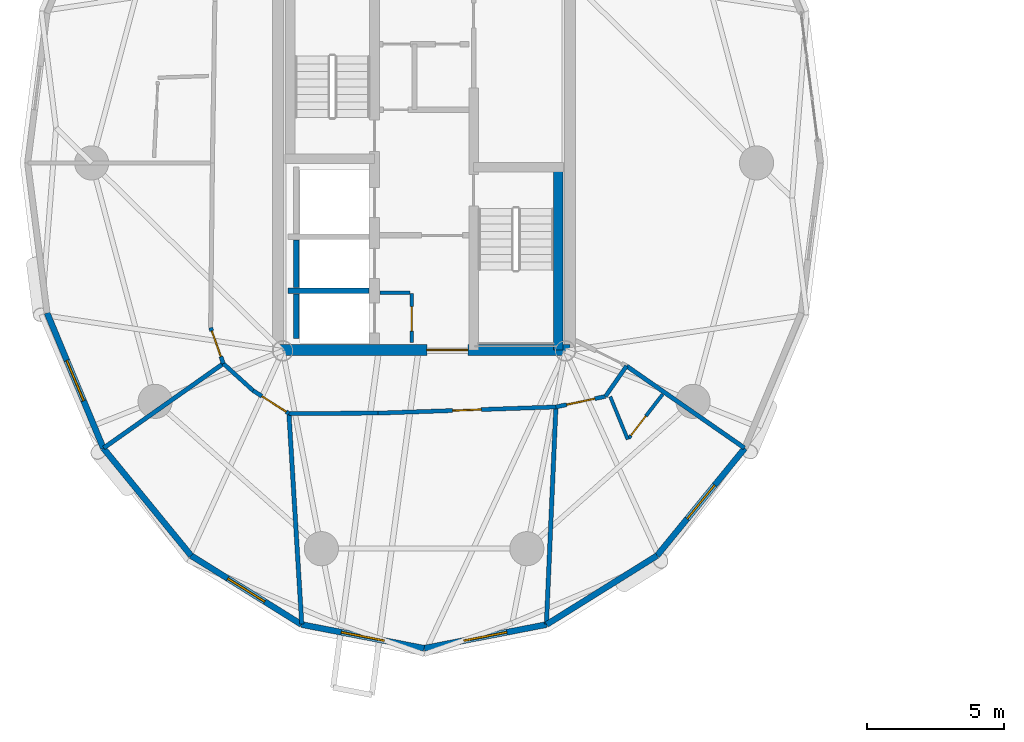
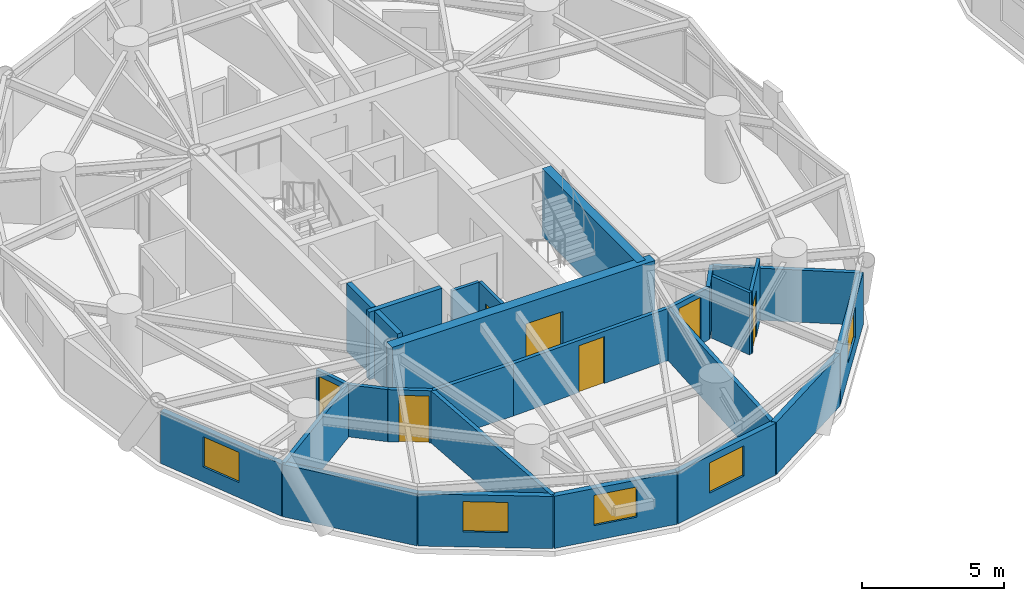
# One storey, part 10 of 18: 27 walls, 7 doors, 5 windows, 12 openings.
"""IFC4 building model written with IfcOpenShell, lengths in metres."""

import ifcopenshell
import ifcopenshell.guid

model = None  # the IFC model being written
_history = None  # IfcOwnerHistory: only IFC2X3 demands one
_inside = {}  # id of a spatial element -> (the spatial element, [elements in it])
_under = {}  # id of a project, library or spatial element -> (it, [spatial elements below it])
_declared = {}  # id of a project -> (the project, [libraries it declares])
_typed = {}  # id of a type object -> (the type object, [elements of that type])
_made_of = {}  # id of a material, layer set ... -> (it, [elements and type objects made of it])


def new_model(schema):
    """Start an empty IFC model of exactly this schema.

    Asked for "IFC4X3", IfcOpenShell would pick the latest addendum, in which some entities
    have other attributes; the version numbers below select the first issue.
    IFC2X3 requires an IfcOwnerHistory on every rooted entity: one is made here for all.
    """
    global model, _history
    if schema == "IFC4X3":
        model = ifcopenshell.file(schema_version=(4, 3, 0, 0))
    else:
        model = ifcopenshell.file(schema=schema)
    _inside.clear()
    _under.clear()
    _declared.clear()
    _typed.clear()
    _made_of.clear()
    _history = None
    if model.schema == "IFC2X3":
        org = make("IfcOrganization", Name="unknown")
        user = make(
            "IfcPersonAndOrganization",
            ThePerson=make("IfcPerson", FamilyName="unknown"),
            TheOrganization=org,
        )
        app = make(
            "IfcApplication",
            ApplicationDeveloper=org,
            Version="unknown",
            ApplicationFullName="unknown",
            ApplicationIdentifier="unknown",
        )
        _history = make(
            "IfcOwnerHistory",
            OwningUser=user,
            OwningApplication=app,
            ChangeAction="ADDED",
            CreationDate=0,
        )
    return model


def make(cls, **values):
    """One entity of the class cls with the attributes given. An attribute that is None is left unset."""
    return model.create_entity(
        cls, **{name: value for name, value in values.items() if value is not None}
    )


def rooted(cls, **values):
    """An entity with a GlobalId (a new one), such as an element, a storey or a relation."""
    return make(cls, GlobalId=ifcopenshell.guid.new(), OwnerHistory=_history, **values)


def si_unit(unit_type, name, prefix=None):
    """IfcSIUnit, for example si_unit("LENGTHUNIT", "METRE", prefix="MILLI")."""
    return make("IfcSIUnit", UnitType=unit_type, Prefix=prefix, Name=name)


def assignment(units):
    """IfcUnitAssignment: the units of a project."""
    return None if units is None else make("IfcUnitAssignment", Units=units)


def point(xyz):
    """IfcCartesianPoint."""
    return None if xyz is None else make("IfcCartesianPoint", Coordinates=xyz)


def direction(xyz):
    """IfcDirection."""
    return None if xyz is None else make("IfcDirection", DirectionRatios=xyz)


def frame(location, z_axis=None, x_axis=None):
    """IfcAxis2Placement3D, a coordinate frame: its origin and axes. An axis left out is left unset."""
    return make(
        "IfcAxis2Placement3D",
        Location=point(location),
        Axis=direction(z_axis),
        RefDirection=direction(x_axis),
    )


def frame_2d(location, x_axis=None):
    """IfcAxis2Placement2D, a coordinate frame in the plane: its origin and x axis."""
    return make(
        "IfcAxis2Placement2D", Location=point(location), RefDirection=direction(x_axis)
    )


def origin():
    """The frame at (0, 0, 0) with its axes left unset."""
    return frame((0.0, 0.0, 0.0))


def place(relative_to, where):
    """IfcLocalPlacement: puts the frame where relative to a parent placement (None: the world)."""
    return make(
        "IfcLocalPlacement", PlacementRelTo=relative_to, RelativePlacement=where
    )


def context(
    kind, dimensions, precision=None, world=None, true_north=None, identifier=None
):
    """IfcGeometricRepresentationContext, for example the 3D "Model" context."""
    return make(
        "IfcGeometricRepresentationContext",
        ContextIdentifier=identifier,
        ContextType=kind,
        CoordinateSpaceDimension=dimensions,
        Precision=precision,
        WorldCoordinateSystem=world,
        TrueNorth=true_north,
    )


def subcontext(parent, identifier, kind, view, scale=None):
    """IfcGeometricRepresentationSubContext, for example "Body" below "Model"."""
    return make(
        "IfcGeometricRepresentationSubContext",
        ContextIdentifier=identifier,
        ContextType=kind,
        ParentContext=parent,
        TargetScale=scale,
        TargetView=view,
    )


def project(units=None, contexts=None):
    """IfcProject with its units and contexts."""
    return rooted(
        "IfcProject",
        Name="project",
        RepresentationContexts=contexts,
        UnitsInContext=assignment(units),
    )


def spatial(cls, under=None, at=None, **own):
    """A site, building, storey or space (cls), placed at a placement, below another one or the project."""
    s = rooted(cls, ObjectPlacement=at, **own)
    if under is not None:
        _under.setdefault(under.id(), (under, []))[1].append(s)
    return s


def profile(cls, at=None, kind="AREA", **sizes):
    """A parametric profile (cls). Its sizes go by their IFC names, for example OverallWidth=200.0."""
    return make(cls, ProfileType=kind, Position=at, **sizes)


def rectangle(**sizes):
    """IfcRectangleProfileDef."""
    return profile("IfcRectangleProfileDef", **sizes)


def extrude(swept, where, along, depth):
    """IfcExtrudedAreaSolid: the profile swept, set in the frame where, extruded along a direction by depth."""
    return make(
        "IfcExtrudedAreaSolid",
        SweptArea=swept,
        Position=where,
        ExtrudedDirection=direction(along),
        Depth=depth,
    )


def shape(context_of_items, identifier, shape_type, items):
    """IfcShapeRepresentation: the items that make up one representation, for example the "Body"."""
    return make(
        "IfcShapeRepresentation",
        ContextOfItems=context_of_items,
        RepresentationIdentifier=identifier,
        RepresentationType=shape_type,
        Items=items,
    )


def source(mapping_origin, context_of_items, identifier, shape_type, items):
    """IfcRepresentationMap: a shape defined once, which mapped items show again and again."""
    return make(
        "IfcRepresentationMap",
        MappingOrigin=mapping_origin,
        MappedRepresentation=shape(context_of_items, identifier, shape_type, items),
    )


def transform(
    local_origin,
    x_axis=None,
    y_axis=None,
    z_axis=None,
    scale=None,
    scale2=None,
    scale3=None,
    uniform=True,
):
    """IfcCartesianTransformationOperator3D, or its non-uniform kind. x_axis, y_axis, z_axis: its Axis1, 2, 3."""
    if uniform:
        return make(
            "IfcCartesianTransformationOperator3D",
            Axis1=direction(x_axis),
            Axis2=direction(y_axis),
            LocalOrigin=point(local_origin),
            Scale=scale,
            Axis3=direction(z_axis),
        )
    return make(
        "IfcCartesianTransformationOperator3DnonUniform",
        Axis1=direction(x_axis),
        Axis2=direction(y_axis),
        LocalOrigin=point(local_origin),
        Scale=scale,
        Axis3=direction(z_axis),
        Scale2=scale2,
        Scale3=scale3,
    )


def mapped(mapping_source, mapping_target):
    """IfcMappedItem: shows the shape of a source again, moved by a transform."""
    return make(
        "IfcMappedItem", MappingSource=mapping_source, MappingTarget=mapping_target
    )


def material(Name=None, Category=None):
    """IfcMaterial."""
    return make("IfcMaterial", Name=Name, Category=Category)


def layer(
    of_material, thickness, ventilated=None, Name=None, Category=None, Priority=None
):
    """IfcMaterialLayer: one layer of a wall or slab, of a material (None: an air gap)."""
    return make(
        "IfcMaterialLayer",
        Material=of_material,
        LayerThickness=thickness,
        IsVentilated=ventilated,
        Name=Name,
        Category=Category,
        Priority=Priority,
    )


def layer_set(layers, Name=None):
    """IfcMaterialLayerSet."""
    return make("IfcMaterialLayerSet", MaterialLayers=layers, LayerSetName=Name)


def made_of(thing, what):
    """Note that an element or type object is made of a material, layer set ...; save() writes the relation."""
    if what is not None:
        _made_of.setdefault(what.id(), (what, []))[1].append(thing)
    return thing


def type_object(cls, material=None, **own):
    """A type object (cls), such as IfcWallType, which elements share."""
    return made_of(rooted(cls, **own), material)


def element(
    cls,
    number,
    at=None,
    inside=None,
    cuts=None,
    type_object=None,
    material=None,
    context=None,
    identifier="Body",
    shape_type=None,
    held_by="IfcProductDefinitionShape",
    body=None,
    shapes=None,
    **own,
):
    """One element of the class cls, such as IfcWall. Its Tag is "e" and its number.

    at: its placement. inside: the storey or other place that contains it. cuts: it is an
    opening in that element (IfcRelVoidsElement). A single representation is given by context,
    identifier, shape_type and body (its items); several are given by shapes. held_by: the class
    of the entity that holds the representations. save() writes the other relations.
    """
    e = rooted(cls, Tag="e%d" % number, ObjectPlacement=at, **own)
    if body is not None:
        shapes = [shape(context, identifier, shape_type, body)]
    if shapes is not None:
        e.Representation = make(held_by, Representations=shapes)
    if inside is not None:
        _inside.setdefault(inside.id(), (inside, []))[1].append(e)
    if cuts is not None:
        rooted(
            "IfcRelVoidsElement", RelatingBuildingElement=cuts, RelatedOpeningElement=e
        )
    if type_object is not None:
        _typed.setdefault(type_object.id(), (type_object, []))[1].append(e)
    return made_of(e, material)


def fill(opening, filler):
    """IfcRelFillsElement: the door or window that sits in an opening."""
    return rooted(
        "IfcRelFillsElement",
        RelatingOpeningElement=opening,
        RelatedBuildingElement=filler,
    )


def aggregate(whole, parts):
    """IfcRelAggregates: a whole, such as a stair, and the parts it consists of."""
    return rooted("IfcRelAggregates", RelatingObject=whole, RelatedObjects=parts)


def save(model, path):
    """Write the relations noted so far, then the file.

    IfcRelAggregates (storeys below a building ...), IfcRelContainedInSpatialStructure (elements
    in a storey), IfcRelDefinesByType, IfcRelAssociatesMaterial and IfcRelDeclares: one each for
    every whole, place, type object, material and project.
    """
    for whole, parts in _under.values():
        aggregate(whole, parts)
    for where, things in _inside.values():
        rooted(
            "IfcRelContainedInSpatialStructure",
            RelatedElements=things,
            RelatingStructure=where,
        )
    for kind, things in _typed.values():
        rooted("IfcRelDefinesByType", RelatedObjects=things, RelatingType=kind)
    for what, things in _made_of.values():
        rooted("IfcRelAssociatesMaterial", RelatedObjects=things, RelatingMaterial=what)
    for by, libraries in _declared.values():
        rooted("IfcRelDeclares", RelatingContext=by, RelatedDefinitions=libraries)
    model.write(path)


model = new_model("IFC4")

# Units and contexts
model_context = context("Model", 3, precision=1e-05, world=origin(), true_north=direction((0.0, 1.0)))
body_context = subcontext(model_context, "Body", "Model", "MODEL_VIEW")
ifc_project = project(units=[si_unit("LENGTHUNIT", "METRE"), si_unit("AREAUNIT", "SQUARE_METRE"), si_unit("VOLUMEUNIT", "CUBIC_METRE"), si_unit("PLANEANGLEUNIT", "RADIAN"), si_unit("MASSUNIT", "GRAM", prefix="KILO")], contexts=[model_context])

# Site, building, storey
site_placement = place(None, origin())
site = spatial("IfcSite", under=ifc_project, at=site_placement, CompositionType="ELEMENT")
building_placement = place(site_placement, origin())
building = spatial("IfcBuilding", under=site, at=building_placement, Name="Cununo Teusaquillo Station Towers", CompositionType="ELEMENT")
storey_placement = place(building_placement, frame((0.0, 0.0, 157.419921875)))
storey = spatial("IfcBuildingStorey", under=building, at=storey_placement, Name="L49", CompositionType="ELEMENT", Elevation=157.419921875)

# Walls
ifc_material_1 = material(Name="Concrete C50/60", Category="concrete")
ifc_layer_1 = layer(ifc_material_1, 0.199951171875)
ifc_layer_set_1 = layer_set([ifc_layer_1], Name="Concrete C50/60")
wall_type_1 = type_object("IfcWallType", Name="WL-CORE-200", PredefinedType="SHEAR", material=ifc_layer_set_1)
wall_1_placement = place(storey_placement, frame((11.52001953125, 19.824951171875, 0.0), z_axis=(0.0, 0.0, 1.0), x_axis=(1.0, 0.0, 0.0)))
element("IfcWall", 1, at=wall_1_placement, inside=storey, type_object=wall_type_1, Name="L49 Tower A High-Rise Lift Hoistway Divider Shear Wall", PredefinedType="SHEAR", context=body_context, shape_type="SweptSolid", body=[
    extrude(rectangle(XDim=2.969970703125, YDim=0.199951171875, at=frame_2d((1.48486328125, 0.0))), origin(), (0.0, 0.0, 1.0), 2.91015625),
])
wall_2_placement = place(storey_placement, frame((11.820068359375, 19.945068359375, 0.0), z_axis=(0.0, 0.0, 1.0), x_axis=(0.0, 1.0, 0.0)))
element("IfcWall", 2, at=wall_2_placement, inside=storey, type_object=wall_type_1, Name="L49 Tower A High-Rise Lift 2 Shaft Rear Shear Wall", PredefinedType="SHEAR", context=body_context, shape_type="SweptSolid", body=[
    extrude(rectangle(XDim=1.73486328125, YDim=0.199951171875, at=frame_2d((0.867431640625, 0.0))), origin(), (0.0, 0.0, 1.0), 2.91015625),
])
wall_3_placement = place(storey_placement, frame((11.820068359375, 18.070068359375, 0.0), z_axis=(0.0, 0.0, 1.0), x_axis=(0.0, 1.0, 0.0)))
element("IfcWall", 3, at=wall_3_placement, inside=storey, type_object=wall_type_1, Name="L49 Tower A High-Rise Lift 1 Shaft Rear Shear Wall", PredefinedType="SHEAR", context=body_context, shape_type="SweptSolid", body=[
    extrude(rectangle(XDim=1.635009765625, YDim=0.199951171875, at=frame_2d((0.8173828125, 0.0))), origin(), (0.0, 0.0, 1.0), 2.91015625),
])
ifc_material_2 = material(Name="Concrete C50/60", Category="concrete")
ifc_layer_2 = layer(ifc_material_2, 0.35009765625)
ifc_layer_set_2 = layer_set([ifc_layer_2], Name="Concrete C50/60")
wall_type_2 = type_object("IfcWallType", Name="WL-CORE-350", PredefinedType="SHEAR", material=ifc_layer_set_2)
wall_4_placement = place(storey_placement, frame((21.405029296875, 17.64990234375, 0.0), z_axis=(0.0, 0.0, 1.0), x_axis=(0.0, 1.0, 0.0)))
element("IfcWall", 4, at=wall_4_placement, inside=storey, type_object=wall_type_2, Name="L49 Tower A Core Shear Wall ST2E", PredefinedType="SHEAR", context=body_context, shape_type="SweptSolid", body=[
    extrude(rectangle(XDim=6.695068359375, YDim=0.35009765625, at=frame_2d((3.34765625, 0.0))), origin(), (0.0, 0.0, 1.0), 2.91015625),
])

# Wall, opening, door
ifc_material_3 = material(Name="Concrete C50/60", Category="concrete")
ifc_layer_3 = layer(ifc_material_3, 0.39990234375)
ifc_layer_set_3 = layer_set([ifc_layer_3], Name="Concrete C50/60")
wall_type_3 = type_object("IfcWallType", Name="WL-CORE-400", PredefinedType="SHEAR", material=ifc_layer_set_3)
wall_5_placement = place(storey_placement, frame((11.14990234375, 17.64990234375, 0.0), z_axis=(0.0, 0.0, 1.0), x_axis=(1.0, 0.0, 0.0)))
wall_5 = element("IfcWall", 5, at=wall_5_placement, inside=storey, type_object=wall_type_3, Name="L49 Tower A Core Shear Wall S", PredefinedType="SHEAR", context=body_context, shape_type="SweptSolid", body=[
    extrude(rectangle(XDim=10.7001953125, YDim=0.39990234375, at=frame_2d((5.35009765625, 0.0))), origin(), (0.0, 0.0, 1.0), 2.91015625),
])
shared_shape_1 = source(origin(), body_context, "Body", "SweptSolid", [
    extrude(rectangle(XDim=1.5, YDim=2.02001953125, at=frame_2d((0.75, 1.010009765625))), frame((0.0, 0.2099609375, 0.0), z_axis=(0.0, -1.0, 0.0), x_axis=(1.0, 0.0, 0.0)), (0.0, 0.0, 1.0), 0.419921875),
])
opening_1_placement = place(wall_5_placement, frame((5.449951171875, 0.0, 0.0)))
opening_1 = element("IfcOpeningElement", 6, at=opening_1_placement, cuts=wall_5, Name="Opening D-LB1", PredefinedType="OPENING", context=body_context, shape_type="MappedRepresentation", body=[
    mapped(shared_shape_1, transform((0.0, 0.0, 0.0), x_axis=(1.0, 0.0, 0.0), y_axis=(0.0, 1.0, 0.0), z_axis=(0.0, 0.0, 1.0), scale=1.0)),
])
ifc_material_4 = material(Name="Galvanised fire-rated hollow steel door assembly", Category="steel")
door_type_1 = type_object("IfcDoorType", Name="DR-LOBBY-1500", OperationType="DOUBLE_DOOR_SINGLE_SWING", PredefinedType="DOOR", material=ifc_material_4)
shared_shape_2 = source(origin(), body_context, "Body", "SweptSolid", [
    extrude(rectangle(XDim=1.5, YDim=2.02001953125, at=frame_2d((0.75, 1.010009765625))), frame((0.0, 0.02490234375, 0.0), z_axis=(0.0, -1.0, 0.0), x_axis=(1.0, 0.0, 0.0)), (0.0, 0.0, 1.0), 0.050048828125),
])
door_1_placement = place(opening_1_placement, origin())
door_1 = element("IfcDoor", 7, at=door_1_placement, inside=storey, type_object=door_type_1, Name="L49 Tower A South Core Lift Lobby Door", OperationType="DOUBLE_DOOR_SINGLE_SWING", OverallHeight=2.02001953125, OverallWidth=1.5, PredefinedType="DOOR", context=body_context, shape_type="MappedRepresentation", body=[
    mapped(shared_shape_2, transform((0.0, 0.0, 0.0), x_axis=(1.0, 0.0, 0.0), y_axis=(0.0, 1.0, 0.0), z_axis=(0.0, 0.0, 1.0), scale=1.0)),
])
fill(opening_1, door_1)

# Wall, opening, window
ifc_material_5 = material(Name="Precast concrete C40/50", Category="concrete")
ifc_layer_4 = layer(ifc_material_5, 0.219970703125)
ifc_layer_set_4 = layer_set([ifc_layer_4], Name="Precast concrete C40/50")
wall_type_4 = type_object("IfcWallType", Name="WL-EXT-220", PredefinedType="SOLIDWALL", material=ifc_layer_set_4)
wall_6_placement = place(storey_placement, frame((4.757080078125, 14.05517578125, 0.0), z_axis=(0.0, 0.0, 1.0), x_axis=(-0.384259959969, 0.923224936386, 0.0)))
wall_6 = element("IfcWall", 8, at=wall_6_placement, inside=storey, type_object=wall_type_4, Name="L49 Tower A Exterior Facade Wall C11", PredefinedType="SOLIDWALL", context=body_context, shape_type="SweptSolid", body=[
    extrude(rectangle(XDim=5.365478515625, YDim=0.219970703125, at=frame_2d((2.6826171875, 0.0))), origin(), (0.0, 0.0, 1.0), 2.2451171875),
])
shared_shape_3 = source(origin(), body_context, "Body", "SweptSolid", [
    extrude(rectangle(XDim=1.60009765625, YDim=1.300048828125, at=frame_2d((0.800048828125, 0.64990234375))), frame((0.0, 0.119873046875, 0.0), z_axis=(0.0, -1.0, 0.0), x_axis=(1.0, 0.0, 0.0)), (0.0, 0.0, 1.0), 0.239990234375),
])
opening_2_placement = place(wall_6_placement, frame((1.883056640625, 0.0, 0.64990234375)))
opening_2 = element("IfcOpeningElement", 9, at=opening_2_placement, cuts=wall_6, Name="Opening WN-03", PredefinedType="OPENING", context=body_context, shape_type="MappedRepresentation", body=[
    mapped(shared_shape_3, transform((0.0, 0.0, 0.0), x_axis=(1.0, 0.0, 0.0), y_axis=(0.0, 1.0, 0.0), z_axis=(0.0, 0.0, 1.0), scale=1.0)),
])
ifc_material_6 = material(Name="Ceramic-fritted dark low-E double glazing", Category="glass")
window_type = type_object("IfcWindowType", Name="WIN-CORN-1600", PartitioningType="SINGLE_PANEL", PredefinedType="WINDOW", material=ifc_material_6)
shared_shape_4 = source(origin(), body_context, "Body", "SweptSolid", [
    extrude(rectangle(XDim=1.60009765625, YDim=1.300048828125, at=frame_2d((0.800048828125, 0.64990234375))), frame((0.0, 0.030029296875, 0.0), z_axis=(0.0, -1.0, 0.0), x_axis=(1.0, 0.0, 0.0)), (0.0, 0.0, 1.0), 0.06005859375),
])
window_1_placement = place(opening_2_placement, origin())
window_1 = element("IfcWindow", 10, at=window_1_placement, inside=storey, type_object=window_type, Name="L49 Tower A Facade Window C11", OverallHeight=1.300048828125, OverallWidth=1.60009765625, PartitioningType="SINGLE_PANEL", PredefinedType="WINDOW", context=body_context, shape_type="MappedRepresentation", body=[
    mapped(shared_shape_4, transform((0.0, 0.0, 0.0), x_axis=(1.0, 0.0, 0.0), y_axis=(0.0, 1.0, 0.0), z_axis=(0.0, 0.0, 1.0), scale=1.0)),
])
fill(opening_2, window_1)

# Wall
wall_7_placement = place(storey_placement, frame((7.96826171875, 10.123779296875, 0.0), z_axis=(0.0, 0.0, 1.0), x_axis=(-0.632598524901, 0.774479894053, 0.0)))
element("IfcWall", 11, at=wall_7_placement, inside=storey, type_object=wall_type_4, Name="L49 Tower A Exterior Facade Wall C12", PredefinedType="SOLIDWALL", context=body_context, shape_type="SweptSolid", body=[
    extrude(rectangle(XDim=5.076171875, YDim=0.219970703125, at=frame_2d((2.5380859375, 0.0))), origin(), (0.0, 0.0, 1.0), 2.2451171875),
])

# Wall, opening, window
wall_8_placement = place(storey_placement, frame((12.0146484375, 7.599609375, 0.0), z_axis=(0.0, 0.0, 1.0), x_axis=(-0.848452391194, 0.529271707044, 0.0)))
wall_8 = element("IfcWall", 12, at=wall_8_placement, inside=storey, type_object=wall_type_4, Name="L49 Tower A Exterior Facade Wall C13", PredefinedType="SOLIDWALL", context=body_context, shape_type="SweptSolid", body=[
    extrude(rectangle(XDim=4.76904296875, YDim=0.219970703125, at=frame_2d((2.384521484375, 0.0))), origin(), (0.0, 0.0, 1.0), 2.2451171875),
])
opening_3_placement = place(wall_8_placement, frame((1.5849609375, 0.0, 0.64990234375)))
opening_3 = element("IfcOpeningElement", 13, at=opening_3_placement, cuts=wall_8, Name="Opening WN-03", PredefinedType="OPENING", context=body_context, shape_type="MappedRepresentation", body=[
    mapped(shared_shape_3, transform((0.0, 0.0, 0.0), x_axis=(1.0, 0.0, 0.0), y_axis=(0.0, 1.0, 0.0), z_axis=(0.0, 0.0, 1.0), scale=1.0)),
])
window_2_placement = place(opening_3_placement, origin())
window_2 = element("IfcWindow", 14, at=window_2_placement, inside=storey, type_object=window_type, Name="L49 Tower A Facade Window C13", OverallHeight=1.300048828125, OverallWidth=1.60009765625, PartitioningType="SINGLE_PANEL", PredefinedType="WINDOW", context=body_context, shape_type="MappedRepresentation", body=[
    mapped(shared_shape_4, transform((0.0, 0.0, 0.0), x_axis=(1.0, 0.0, 0.0), y_axis=(0.0, 1.0, 0.0), z_axis=(0.0, 0.0, 1.0), scale=1.0)),
])
fill(opening_3, window_2)

wall_9_placement = place(storey_placement, frame((16.5, 6.72998046875, 0.0), z_axis=(0.0, 0.0, 1.0), x_axis=(-0.981718699963, 0.190337579429, 0.0)))
wall_9 = element("IfcWall", 15, at=wall_9_placement, inside=storey, type_object=wall_type_4, Name="L49 Tower A Exterior Facade Wall C14", PredefinedType="SOLIDWALL", context=body_context, shape_type="SweptSolid", body=[
    extrude(rectangle(XDim=4.56884765625, YDim=0.219970703125, at=frame_2d((2.284423828125, 0.0))), origin(), (0.0, 0.0, 1.0), 2.2451171875),
])
opening_4_placement = place(wall_9_placement, frame((1.48388671875, 0.0, 0.64990234375)))
opening_4 = element("IfcOpeningElement", 16, at=opening_4_placement, cuts=wall_9, Name="Opening WN-03", PredefinedType="OPENING", context=body_context, shape_type="MappedRepresentation", body=[
    mapped(shared_shape_3, transform((0.0, 0.0, 0.0), x_axis=(1.0, 0.0, 0.0), y_axis=(0.0, 1.0, 0.0), z_axis=(0.0, 0.0, 1.0), scale=1.0)),
])
window_3_placement = place(opening_4_placement, origin())
window_3 = element("IfcWindow", 17, at=window_3_placement, inside=storey, type_object=window_type, Name="L49 Tower A Facade Window C14", OverallHeight=1.300048828125, OverallWidth=1.60009765625, PartitioningType="SINGLE_PANEL", PredefinedType="WINDOW", context=body_context, shape_type="MappedRepresentation", body=[
    mapped(shared_shape_4, transform((0.0, 0.0, 0.0), x_axis=(1.0, 0.0, 0.0), y_axis=(0.0, 1.0, 0.0), z_axis=(0.0, 0.0, 1.0), scale=1.0)),
])
fill(opening_4, window_3)

wall_10_placement = place(storey_placement, frame((20.9853515625, 7.599609375, 0.0), z_axis=(0.0, 0.0, 1.0), x_axis=(-0.981718699963, -0.190337579429, 0.0)))
wall_10 = element("IfcWall", 18, at=wall_10_placement, inside=storey, type_object=wall_type_4, Name="L49 Tower A Exterior Facade Wall C15", PredefinedType="SOLIDWALL", context=body_context, shape_type="SweptSolid", body=[
    extrude(rectangle(XDim=4.56884765625, YDim=0.219970703125, at=frame_2d((2.284423828125, 0.0))), origin(), (0.0, 0.0, 1.0), 2.2451171875),
])
opening_5_placement = place(wall_10_placement, frame((1.48388671875, 0.0, 0.64990234375)))
opening_5 = element("IfcOpeningElement", 19, at=opening_5_placement, cuts=wall_10, Name="Opening WN-03", PredefinedType="OPENING", context=body_context, shape_type="MappedRepresentation", body=[
    mapped(shared_shape_3, transform((0.0, 0.0, 0.0), x_axis=(1.0, 0.0, 0.0), y_axis=(0.0, 1.0, 0.0), z_axis=(0.0, 0.0, 1.0), scale=1.0)),
])
window_4_placement = place(opening_5_placement, origin())
window_4 = element("IfcWindow", 20, at=window_4_placement, inside=storey, type_object=window_type, Name="L49 Tower A Facade Window C15", OverallHeight=1.300048828125, OverallWidth=1.60009765625, PartitioningType="SINGLE_PANEL", PredefinedType="WINDOW", context=body_context, shape_type="MappedRepresentation", body=[
    mapped(shared_shape_4, transform((0.0, 0.0, 0.0), x_axis=(1.0, 0.0, 0.0), y_axis=(0.0, 1.0, 0.0), z_axis=(0.0, 0.0, 1.0), scale=1.0)),
])
fill(opening_5, window_4)

# Wall
wall_11_placement = place(storey_placement, frame((25.03173828125, 10.123779296875, 0.0), z_axis=(0.0, 0.0, 1.0), x_axis=(-0.848452391194, -0.529271707044, 0.0)))
element("IfcWall", 21, at=wall_11_placement, inside=storey, type_object=wall_type_4, Name="L49 Tower A Exterior Facade Wall C16", PredefinedType="SOLIDWALL", context=body_context, shape_type="SweptSolid", body=[
    extrude(rectangle(XDim=4.76904296875, YDim=0.219970703125, at=frame_2d((2.384521484375, 0.0))), origin(), (0.0, 0.0, 1.0), 2.2451171875),
])

# Wall, opening, window
wall_12_placement = place(storey_placement, frame((28.242919921875, 14.05517578125, 0.0), z_axis=(0.0, 0.0, 1.0), x_axis=(-0.632598524901, -0.774479894053, 0.0)))
wall_12 = element("IfcWall", 22, at=wall_12_placement, inside=storey, type_object=wall_type_4, Name="L49 Tower A Exterior Facade Wall C17", PredefinedType="SOLIDWALL", context=body_context, shape_type="SweptSolid", body=[
    extrude(rectangle(XDim=5.076171875, YDim=0.219970703125, at=frame_2d((2.5380859375, 0.0))), origin(), (0.0, 0.0, 1.0), 2.2451171875),
])
opening_6_placement = place(wall_12_placement, frame((1.738037109375, 0.0, 0.64990234375)))
opening_6 = element("IfcOpeningElement", 23, at=opening_6_placement, cuts=wall_12, Name="Opening WN-03", PredefinedType="OPENING", context=body_context, shape_type="MappedRepresentation", body=[
    mapped(shared_shape_3, transform((0.0, 0.0, 0.0), x_axis=(1.0, 0.0, 0.0), y_axis=(0.0, 1.0, 0.0), z_axis=(0.0, 0.0, 1.0), scale=1.0)),
])
window_5_placement = place(opening_6_placement, origin())
window_5 = element("IfcWindow", 24, at=window_5_placement, inside=storey, type_object=window_type, Name="L49 Tower A Facade Window C17", OverallHeight=1.300048828125, OverallWidth=1.60009765625, PartitioningType="SINGLE_PANEL", PredefinedType="WINDOW", context=body_context, shape_type="MappedRepresentation", body=[
    mapped(shared_shape_4, transform((0.0, 0.0, 0.0), x_axis=(1.0, 0.0, 0.0), y_axis=(0.0, 1.0, 0.0), z_axis=(0.0, 0.0, 1.0), scale=1.0)),
])
fill(opening_6, window_5)

# Wall, opening, door
ifc_material_7 = material(Name="Fire-rated gypsum plasterboard partition assembly", Category="gypsum")
ifc_layer_5 = layer(ifc_material_7, 0.125)
ifc_layer_set_5 = layer_set([ifc_layer_5], Name="Fire-rated gypsum plasterboard partition assembly")
wall_type_5 = type_object("IfcWallType", Name="WL-PART-125", PredefinedType="PARTITIONING", material=ifc_layer_set_5)
wall_13_placement = place(storey_placement, frame((16.050048828125, 17.919921875, 0.0), z_axis=(0.0, 0.0, 1.0), x_axis=(0.0, 1.0, 0.0)))
wall_13 = element("IfcWall", 25, at=wall_13_placement, inside=storey, type_object=wall_type_5, Name="L49 Tower A South-West Compact Store East Wall", PredefinedType="PARTITIONING", context=body_context, shape_type="SweptSolid", body=[
    extrude(rectangle(XDim=1.800048828125, YDim=0.125, at=frame_2d((0.89990234375, 0.0))), origin(), (0.0, 0.0, 1.0), 2.675048828125),
])
shared_shape_5 = source(origin(), body_context, "Body", "SweptSolid", [
    extrude(rectangle(XDim=0.89990234375, YDim=2.0048828125, at=frame_2d((0.449951171875, 1.00244140625))), frame((0.0, 0.072509765625, 0.0), z_axis=(0.0, -1.0, 0.0), x_axis=(1.0, 0.0, 0.0)), (0.0, 0.0, 1.0), 0.14501953125),
])
opening_7_placement = place(wall_13_placement, frame((0.419921875, 0.0, 0.0)))
opening_7 = element("IfcOpeningElement", 26, at=opening_7_placement, cuts=wall_13, Name="Opening D-SR1", PredefinedType="OPENING", context=body_context, shape_type="MappedRepresentation", body=[
    mapped(shared_shape_5, transform((0.0, 0.0, 0.0), x_axis=(1.0, 0.0, 0.0), y_axis=(0.0, 1.0, 0.0), z_axis=(0.0, 0.0, 1.0), scale=1.0)),
])
ifc_material_8 = material(Name="Galvanised fire-rated hollow steel door assembly", Category="steel")
door_type_2 = type_object("IfcDoorType", Name="DR-STORE-900", OperationType="NOTDEFINED", PredefinedType="DOOR", material=ifc_material_8)
shared_shape_6 = source(origin(), body_context, "Body", "SweptSolid", [
    extrude(rectangle(XDim=0.89990234375, YDim=2.0048828125, at=frame_2d((0.449951171875, 1.00244140625))), frame((0.0, 0.02490234375, 0.0), z_axis=(0.0, -1.0, 0.0), x_axis=(1.0, 0.0, 0.0)), (0.0, 0.0, 1.0), 0.050048828125),
])
door_2_placement = place(opening_7_placement, origin())
door_2 = element("IfcDoor", 27, at=door_2_placement, inside=storey, type_object=door_type_2, Name="L49 Tower A Core Electrical & Comms Store Door", OperationType="SINGLE_SWING_RIGHT", OverallHeight=2.0048828125, OverallWidth=0.89990234375, PredefinedType="DOOR", context=body_context, shape_type="MappedRepresentation", body=[
    mapped(shared_shape_6, transform((0.0, 0.0, 0.0), x_axis=(1.0, 0.0, 0.0), y_axis=(0.0, 1.0, 0.0), z_axis=(0.0, 0.0, 1.0), scale=1.0)),
])
fill(opening_7, door_2)

# Walls
wall_14_placement = place(storey_placement, frame((14.8798828125, 19.75, 0.0), z_axis=(0.0, 0.0, 1.0), x_axis=(1.0, 0.0, 0.0)))
element("IfcWall", 28, at=wall_14_placement, inside=storey, type_object=wall_type_5, Name="L49 Tower A South-West Compact Store North Wall", PredefinedType="PARTITIONING", context=body_context, shape_type="SweptSolid", body=[
    extrude(rectangle(XDim=1.10009765625, YDim=0.125, at=frame_2d((0.550048828125, 0.0))), origin(), (0.0, 0.0, 1.0), 2.675048828125),
])
wall_15_placement = place(storey_placement, frame((23.31494140625, 15.946533203125, 0.0), z_axis=(0.0, 0.0, 1.0), x_axis=(0.37920929394, -0.925310926873, 0.0)))
element("IfcWall", 29, at=wall_15_placement, inside=storey, type_object=wall_type_5, Name="L49 Tower A S08 En-suite Side Wall", PredefinedType="PARTITIONING", context=body_context, shape_type="SweptSolid", body=[
    extrude(rectangle(XDim=1.698486328125, YDim=0.125, at=frame_2d((0.84912109375, 0.0))), origin(), (0.0, 0.0, 1.0), 2.675048828125),
])

# Wall, opening, door
wall_16_placement = place(storey_placement, frame((23.997802734375, 14.42529296875, 0.0), z_axis=(0.0, 0.0, 1.0), x_axis=(0.610534539262, 0.791989631478, 0.0)))
wall_16 = element("IfcWall", 30, at=wall_16_placement, inside=storey, type_object=wall_type_5, Name="L49 Tower A S08 En-suite Back Wall", PredefinedType="PARTITIONING", context=body_context, shape_type="SweptSolid", body=[
    extrude(rectangle(XDim=2.032958984375, YDim=0.125, at=frame_2d((1.0166015625, 0.0))), origin(), (0.0, 0.0, 1.0), 2.675048828125),
])
opening_8_placement = place(wall_16_placement, frame((0.1201171875, 0.0, 0.0)))
opening_8 = element("IfcOpeningElement", 31, at=opening_8_placement, cuts=wall_16, Name="Opening D-IN1", PredefinedType="OPENING", context=body_context, shape_type="MappedRepresentation", body=[
    mapped(shared_shape_5, transform((0.0, 0.0, 0.0), x_axis=(1.0, 0.0, 0.0), y_axis=(0.0, 1.0, 0.0), z_axis=(0.0, 0.0, 1.0), scale=1.0)),
])
ifc_material_9 = material(Name="Acoustic solid-core hardwood leaf assembly", Category="wood")
door_type_3 = type_object("IfcDoorType", Name="DR-INT-900", OperationType="NOTDEFINED", PredefinedType="DOOR", material=ifc_material_9)
door_3_placement = place(opening_8_placement, origin())
door_3 = element("IfcDoor", 32, at=door_3_placement, inside=storey, type_object=door_type_3, Name="L49 Tower A S08 En-suite Bathroom Door", OperationType="SINGLE_SWING_LEFT", OverallHeight=2.0048828125, OverallWidth=0.89990234375, PredefinedType="DOOR", context=body_context, shape_type="MappedRepresentation", body=[
    mapped(shared_shape_6, transform((0.0, 0.0, 0.0), x_axis=(1.0, 0.0, 0.0), y_axis=(0.0, 1.0, 0.0), z_axis=(0.0, 0.0, 1.0), scale=1.0)),
])
fill(opening_8, door_3)

ifc_material_10 = material(Name="Fire-rated gypsum plasterboard partition assembly", Category="gypsum")
ifc_layer_6 = layer(ifc_material_10, 0.14990234375)
ifc_layer_set_6 = layer_set([ifc_layer_6], Name="Fire-rated gypsum plasterboard partition assembly")
wall_type_6 = type_object("IfcWallType", Name="WL-PART-150", PredefinedType="PARTITIONING", material=ifc_layer_set_6)
wall_17_placement = place(storey_placement, frame((8.68505859375, 18.468505859375, 0.0), z_axis=(0.0, 0.0, 1.0), x_axis=(0.333415749461, -0.942779899028, 0.0)))
wall_17 = element("IfcWall", 33, at=wall_17_placement, inside=storey, type_object=wall_type_6, Name="L49 Tower A Corridor Ring Wall C11", PredefinedType="PARTITIONING", context=body_context, shape_type="SweptSolid", body=[
    extrude(rectangle(XDim=1.3935546875, YDim=0.14990234375, at=frame_2d((0.69677734375, 0.0))), origin(), (0.0, 0.0, 1.0), 2.2451171875),
])
shared_shape_7 = source(origin(), body_context, "Body", "SweptSolid", [
    extrude(rectangle(XDim=1.0, YDim=2.014892578125, at=frame_2d((0.5, 1.00732421875))), frame((0.0, 0.0849609375, 0.0), z_axis=(0.0, -1.0, 0.0), x_axis=(1.0, 0.0, 0.0)), (0.0, 0.0, 1.0), 0.169921875),
])
opening_9_placement = place(wall_17_placement, frame((0.1201171875, 0.0, 0.0)))
opening_9 = element("IfcOpeningElement", 34, at=opening_9_placement, cuts=wall_17, Name="Opening D-AC1", PredefinedType="OPENING", context=body_context, shape_type="MappedRepresentation", body=[
    mapped(shared_shape_7, transform((0.0, 0.0, 0.0), x_axis=(1.0, 0.0, 0.0), y_axis=(0.0, 1.0, 0.0), z_axis=(0.0, 0.0, 1.0), scale=1.0)),
])
ifc_material_11 = material(Name="Acoustic solid-core hardwood leaf assembly", Category="wood")
door_type_4 = type_object("IfcDoorType", Name="DR-ACC-1000", OperationType="NOTDEFINED", PredefinedType="DOOR", material=ifc_material_11)
shared_shape_8 = source(origin(), body_context, "Body", "SweptSolid", [
    extrude(rectangle(XDim=1.0, YDim=2.014892578125, at=frame_2d((0.5, 1.00732421875))), frame((0.0, 0.02490234375, 0.0), z_axis=(0.0, -1.0, 0.0), x_axis=(1.0, 0.0, 0.0)), (0.0, 0.0, 1.0), 0.050048828125),
])
door_4_placement = place(opening_9_placement, origin())
door_4 = element("IfcDoor", 35, at=door_4_placement, inside=storey, type_object=door_type_4, Name="L49 Tower A Public Accessible Restroom WC Entrance Door", OperationType="SINGLE_SWING_LEFT", OverallHeight=2.014892578125, OverallWidth=1.0, PredefinedType="DOOR", context=body_context, shape_type="MappedRepresentation", body=[
    mapped(shared_shape_8, transform((0.0, 0.0, 0.0), x_axis=(1.0, 0.0, 0.0), y_axis=(0.0, 1.0, 0.0), z_axis=(0.0, 0.0, 1.0), scale=1.0)),
])
fill(opening_9, door_4)

# Wall
wall_18_placement = place(storey_placement, frame((9.149658203125, 17.15478515625, 0.0), z_axis=(0.0, 0.0, 1.0), x_axis=(0.740451494731, -0.672109800517, 0.0)))
element("IfcWall", 36, at=wall_18_placement, inside=storey, type_object=wall_type_6, Name="L49 Tower A Corridor Ring Wall C12", PredefinedType="PARTITIONING", context=body_context, shape_type="SweptSolid", body=[
    extrude(rectangle(XDim=1.46826171875, YDim=0.14990234375, at=frame_2d((0.734130859375, 0.0))), origin(), (0.0, 0.0, 1.0), 2.2451171875),
])

# Wall, opening, door
wall_19_placement = place(storey_placement, frame((10.23681640625, 16.16796875, 0.0), z_axis=(0.0, 0.0, 1.0), x_axis=(0.842061223587, -0.53938195718, 0.0)))
wall_19 = element("IfcWall", 37, at=wall_19_placement, inside=storey, type_object=wall_type_6, Name="L49 Tower A Corridor Ring Wall C13", PredefinedType="PARTITIONING", context=body_context, shape_type="SweptSolid", body=[
    extrude(rectangle(XDim=1.5615234375, YDim=0.14990234375, at=frame_2d((0.78076171875, 0.0))), origin(), (0.0, 0.0, 1.0), 2.2451171875),
])
shared_shape_9 = source(origin(), body_context, "Body", "SweptSolid", [
    extrude(rectangle(XDim=1.050048828125, YDim=2.014892578125, at=frame_2d((0.52490234375, 1.00732421875))), frame((0.0, 0.0849609375, 0.0), z_axis=(0.0, -1.0, 0.0), x_axis=(1.0, 0.0, 0.0)), (0.0, 0.0, 1.0), 0.169921875),
])
opening_10_placement = place(wall_19_placement, frame((0.3916015625, 0.0, 0.0)))
opening_10 = element("IfcOpeningElement", 38, at=opening_10_placement, cuts=wall_19, Name="Opening D-SU1", PredefinedType="OPENING", context=body_context, shape_type="MappedRepresentation", body=[
    mapped(shared_shape_9, transform((0.0, 0.0, 0.0), x_axis=(1.0, 0.0, 0.0), y_axis=(0.0, 1.0, 0.0), z_axis=(0.0, 0.0, 1.0), scale=1.0)),
])
ifc_material_12 = material(Name="Acoustic solid-core hardwood leaf assembly", Category="wood")
door_type_5 = type_object("IfcDoorType", Name="DR-SUITE-1050", OperationType="NOTDEFINED", PredefinedType="DOOR", material=ifc_material_12)
shared_shape_10 = source(origin(), body_context, "Body", "SweptSolid", [
    extrude(rectangle(XDim=1.050048828125, YDim=2.014892578125, at=frame_2d((0.52490234375, 1.00732421875))), frame((0.0, 0.02490234375, 0.0), z_axis=(0.0, -1.0, 0.0), x_axis=(1.0, 0.0, 0.0)), (0.0, 0.0, 1.0), 0.050048828125),
])
door_5_placement = place(opening_10_placement, origin())
door_5 = element("IfcDoor", 39, at=door_5_placement, inside=storey, type_object=door_type_5, Name="L49 Tower A High-Altitude Tea Salon Entrance Door", OperationType="SINGLE_SWING_RIGHT", OverallHeight=2.014892578125, OverallWidth=1.050048828125, PredefinedType="DOOR", context=body_context, shape_type="MappedRepresentation", body=[
    mapped(shared_shape_10, transform((0.0, 0.0, 0.0), x_axis=(1.0, 0.0, 0.0), y_axis=(0.0, 1.0, 0.0), z_axis=(0.0, 0.0, 1.0), scale=1.0)),
])
fill(opening_10, door_5)

# Wall
wall_20_placement = place(storey_placement, frame((11.5517578125, 15.32568359375, 0.0), z_axis=(0.0, 0.0, 1.0), x_axis=(0.999989573465, 0.004566504266, 0.0)))
element("IfcWall", 40, at=wall_20_placement, inside=storey, type_object=wall_type_6, Name="L49 Tower A Corridor Ring Wall C14", PredefinedType="PARTITIONING", context=body_context, shape_type="SweptSolid", body=[
    extrude(rectangle(XDim=3.26123046875, YDim=0.14990234375, at=frame_2d((1.630615234375, 0.0))), origin(), (0.0, 0.0, 1.0), 2.2451171875),
])

# Wall, opening, door
wall_21_placement = place(storey_placement, frame((14.81298828125, 15.340576171875, 0.0), z_axis=(0.0, 0.0, 1.0), x_axis=(0.999402077819, 0.034575813105, 0.0)))
wall_21 = element("IfcWall", 41, at=wall_21_placement, inside=storey, type_object=wall_type_6, Name="L49 Tower A Corridor Ring Wall C15", PredefinedType="PARTITIONING", context=body_context, shape_type="SweptSolid", body=[
    extrude(rectangle(XDim=6.517333984375, YDim=0.14990234375, at=frame_2d((3.2587890625, 0.0))), origin(), (0.0, 0.0, 1.0), 2.2451171875),
])
opening_11_placement = place(wall_21_placement, frame((2.733642578125, 0.0, 0.0)))
opening_11 = element("IfcOpeningElement", 42, at=opening_11_placement, cuts=wall_21, Name="Opening D-SU1", PredefinedType="OPENING", context=body_context, shape_type="MappedRepresentation", body=[
    mapped(shared_shape_9, transform((0.0, 0.0, 0.0), x_axis=(1.0, 0.0, 0.0), y_axis=(0.0, 1.0, 0.0), z_axis=(0.0, 0.0, 1.0), scale=1.0)),
])
door_6_placement = place(opening_11_placement, origin())
door_6 = element("IfcDoor", 43, at=door_6_placement, inside=storey, type_object=door_type_5, Name="L49 Tower A Hotel Housekeeping & Linen Pantry Entrance Door", OperationType="SINGLE_SWING_LEFT", OverallHeight=2.014892578125, OverallWidth=1.050048828125, PredefinedType="DOOR", context=body_context, shape_type="MappedRepresentation", body=[
    mapped(shared_shape_10, transform((0.0, 0.0, 0.0), x_axis=(1.0, 0.0, 0.0), y_axis=(0.0, 1.0, 0.0), z_axis=(0.0, 0.0, 1.0), scale=1.0)),
])
fill(opening_11, door_6)

wall_22_placement = place(storey_placement, frame((21.326416015625, 15.56591796875, 0.0), z_axis=(0.0, 0.0, 1.0), x_axis=(0.977908238308, 0.209034632176, 0.0)))
wall_22 = element("IfcWall", 44, at=wall_22_placement, inside=storey, type_object=wall_type_6, Name="L49 Tower A Corridor Ring Wall C16", PredefinedType="PARTITIONING", context=body_context, shape_type="SweptSolid", body=[
    extrude(rectangle(XDim=1.854736328125, YDim=0.14990234375, at=frame_2d((0.92724609375, 0.0))), origin(), (0.0, 0.0, 1.0), 2.2451171875),
])
opening_12_placement = place(wall_22_placement, frame((0.40234375, 0.0, 0.0)))
opening_12 = element("IfcOpeningElement", 45, at=opening_12_placement, cuts=wall_22, Name="Opening D-SU1", PredefinedType="OPENING", context=body_context, shape_type="MappedRepresentation", body=[
    mapped(shared_shape_9, transform((0.0, 0.0, 0.0), x_axis=(1.0, 0.0, 0.0), y_axis=(0.0, 1.0, 0.0), z_axis=(0.0, 0.0, 1.0), scale=1.0)),
])
door_7_placement = place(opening_12_placement, origin())
door_7 = element("IfcDoor", 46, at=door_7_placement, inside=storey, type_object=door_type_5, Name="L49 Tower A Monserrate View Hotel Suite Entrance Door", OperationType="SINGLE_SWING_RIGHT", OverallHeight=2.014892578125, OverallWidth=1.050048828125, PredefinedType="DOOR", context=body_context, shape_type="MappedRepresentation", body=[
    mapped(shared_shape_10, transform((0.0, 0.0, 0.0), x_axis=(1.0, 0.0, 0.0), y_axis=(0.0, 1.0, 0.0), z_axis=(0.0, 0.0, 1.0), scale=1.0)),
])
fill(opening_12, door_7)

# Walls
wall_23_placement = place(storey_placement, frame((23.14013671875, 15.95361328125, 0.0), z_axis=(0.0, 0.0, 1.0), x_axis=(0.570699895117, 0.821158711647, 0.0)))
element("IfcWall", 47, at=wall_23_placement, inside=storey, type_object=wall_type_6, Name="L49 Tower A Corridor Ring Wall C17", PredefinedType="PARTITIONING", context=body_context, shape_type="SweptSolid", body=[
    extrude(rectangle(XDim=1.35400390625, YDim=0.14990234375, at=frame_2d((0.677001953125, 0.0))), origin(), (0.0, 0.0, 1.0), 2.2451171875),
])
ifc_material_13 = material(Name="Fire-rated gypsum plasterboard partition assembly", Category="gypsum")
ifc_layer_7 = layer(ifc_material_13, 0.159912109375)
ifc_layer_set_7 = layer_set([ifc_layer_7], Name="Fire-rated gypsum plasterboard partition assembly")
wall_type_7 = type_object("IfcWallType", Name="WL-PART-160", PredefinedType="PARTITIONING", material=ifc_layer_set_7)
wall_24_placement = place(storey_placement, frame((9.149658203125, 17.15478515625, 0.0), z_axis=(0.0, 0.0, 1.0), x_axis=(-0.81708911443, -0.576511386774, 0.0)))
element("IfcWall", 48, at=wall_24_placement, inside=storey, type_object=wall_type_7, Name="L49 Tower A Radial Suite Partition R06", PredefinedType="PARTITIONING", context=body_context, shape_type="SweptSolid", body=[
    extrude(rectangle(XDim=5.356201171875, YDim=0.159912109375, at=frame_2d((2.67822265625, 0.0))), origin(), (0.0, 0.0, 1.0), 2.2451171875),
])
wall_25_placement = place(storey_placement, frame((11.5517578125, 15.32568359375, 0.0), z_axis=(0.0, 0.0, 1.0), x_axis=(0.060740403573, -0.998153597085, 0.0)))
element("IfcWall", 49, at=wall_25_placement, inside=storey, type_object=wall_type_7, Name="L49 Tower A Radial Suite Partition R07", PredefinedType="PARTITIONING", context=body_context, shape_type="SweptSolid", body=[
    extrude(rectangle(XDim=7.72119140625, YDim=0.159912109375, at=frame_2d((3.860595703125, 0.0))), origin(), (0.0, 0.0, 1.0), 2.2451171875),
])
wall_26_placement = place(storey_placement, frame((21.326416015625, 15.56591796875, 0.0), z_axis=(0.0, 0.0, 1.0), x_axis=(-0.043642330618, -0.999047219594, 0.0)))
element("IfcWall", 50, at=wall_26_placement, inside=storey, type_object=wall_type_7, Name="L49 Tower A Radial Suite Partition R08", PredefinedType="PARTITIONING", context=body_context, shape_type="SweptSolid", body=[
    extrude(rectangle(XDim=7.954833984375, YDim=0.159912109375, at=frame_2d((3.9775390625, 0.0))), origin(), (0.0, 0.0, 1.0), 2.2451171875),
])
wall_27_placement = place(storey_placement, frame((23.912841796875, 17.0654296875, 0.0), z_axis=(0.0, 0.0, 1.0), x_axis=(0.821126775727, -0.570745843773, 0.0)))
element("IfcWall", 51, at=wall_27_placement, inside=storey, type_object=wall_type_7, Name="L49 Tower A Radial Suite Partition R09", PredefinedType="PARTITIONING", context=body_context, shape_type="SweptSolid", body=[
    extrude(rectangle(XDim=5.253662109375, YDim=0.159912109375, at=frame_2d((2.626953125, 0.0))), origin(), (0.0, 0.0, 1.0), 2.2451171875),
])

save(model, "model.ifc")
